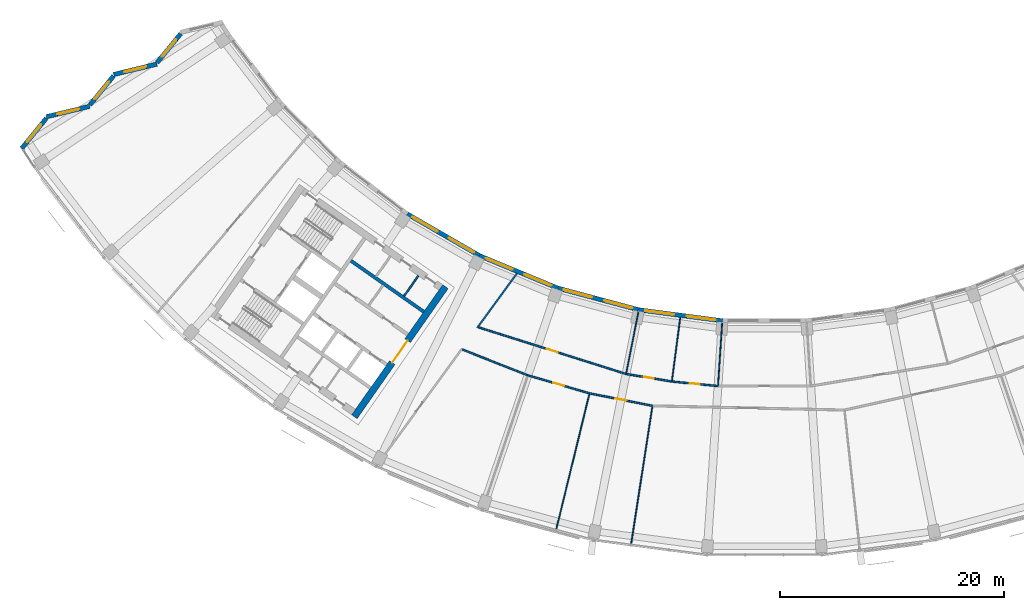
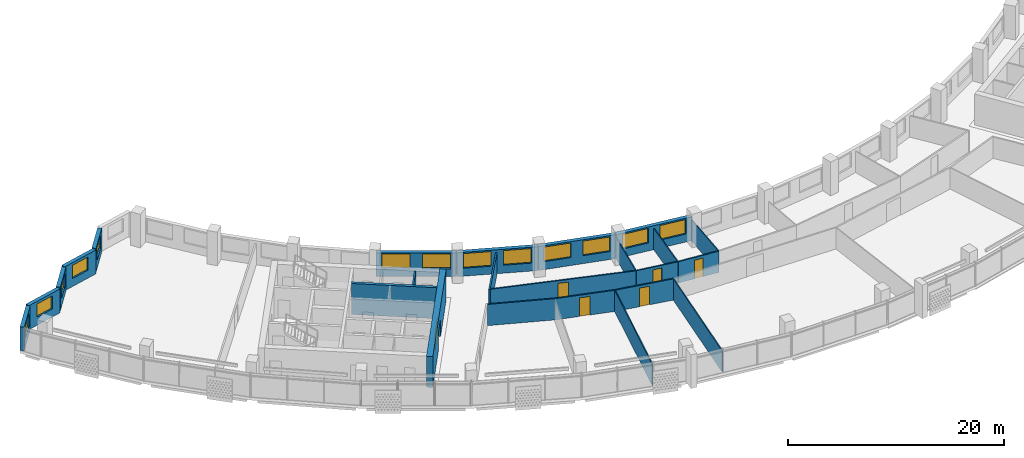
# One storey, part 4 of 28: 24 walls, 13 windows, 6 doors, 19 openings.
"""IFC4 building model written with IfcOpenShell, lengths in metres."""

from ifc_helpers import new_model, si_unit, direction, frame, frame_2d, origin, place, context, subcontext, project, spatial, rectangle, extrude, material, layer, layer_set, type_object, element, fill, save


model = new_model("IFC4")

# Units and contexts
model_context = context("Model", 3, precision=1e-05, world=origin(), true_north=direction((0.0, 1.0)))
body_context = subcontext(model_context, "Body", "Model", "MODEL_VIEW")
ifc_project = project(units=[si_unit("LENGTHUNIT", "METRE"), si_unit("AREAUNIT", "SQUARE_METRE"), si_unit("VOLUMEUNIT", "CUBIC_METRE"), si_unit("PLANEANGLEUNIT", "RADIAN"), si_unit("MASSUNIT", "GRAM", prefix="KILO")], contexts=[model_context])

# Site, building, storey
site_placement = place(None, origin())
site = spatial("IfcSite", under=ifc_project, at=site_placement, CompositionType="ELEMENT")
building_placement = place(site_placement, origin())
building = spatial("IfcBuilding", under=site, at=building_placement, Name="Qamariyya Broadcast Tower", CompositionType="ELEMENT")
storey_placement = place(building_placement, frame((0.0, 0.0, 215.10009765625)))
storey = spatial("IfcBuildingStorey", under=building, at=storey_placement, Name="L51", CompositionType="ELEMENT", Elevation=215.10009765625)

# Wall, opening, door
ifc_material_1 = material(Name="Concrete C60/75", Category="concrete")
ifc_layer_1 = layer(ifc_material_1, 0.60009765625)
ifc_layer_set_1 = layer_set([ifc_layer_1], Name="Core wall 600 mm Concrete C60/75")
wall_type_1 = type_object("IfcWallType", Name="Core wall 600 mm Concrete C60/75", PredefinedType="SHEAR", material=ifc_layer_set_1)
wall_1_placement = place(storey_placement, frame((-36.66748046875, -66.005126953125, 0.0), z_axis=(0.0, 0.0, 1.0), x_axis=(0.573568499524, 0.819157601658, 0.0)))
wall_1 = element("IfcWall", 1, at=wall_1_placement, inside=storey, type_object=wall_type_1, Name="k-W-L51-WA", PredefinedType="SHEAR", context=body_context, shape_type="SweptSolid", body=[
    extrude(rectangle(XDim=14.19970703125, YDim=0.60009765625, at=frame_2d((7.099853515625, 0.0))), origin(), (0.0, 0.0, 1.0), 3.5),
])
opening_1_placement = place(wall_1_placement, frame((5.89990234375, 0.0, 0.0)))
opening_1 = element("IfcOpeningElement", 2, at=opening_1_placement, cuts=wall_1, Name="Opening KD3-W1", PredefinedType="OPENING", context=body_context, shape_type="SweptSolid", body=[
    extrude(rectangle(XDim=2.39990234375, YDim=2.10009765625, at=frame_2d((1.199951171875, 1.050048828125))), frame((0.0, 0.31005859375, 0.0), z_axis=(0.0, -1.0, 0.0), x_axis=(1.0, 0.0, 0.0)), (0.0, 0.0, 1.0), 0.6201171875),
])
ifc_material_2 = material(Name="Steel fire-resisting door leaf", Category="steel")
door_type_1 = type_object("IfcDoorType", Name="Lift lobby door KD3", OperationType="DOUBLE_DOOR_SINGLE_SWING", PredefinedType="DOOR", material=ifc_material_2)
door_1_placement = place(opening_1_placement, origin())
door_1 = element("IfcDoor", 3, at=door_1_placement, inside=storey, type_object=door_type_1, Name="k-W-L51-WA-D1", OperationType="DOUBLE_DOOR_SINGLE_SWING", OverallHeight=2.10009765625, OverallWidth=2.39990234375, PredefinedType="DOOR", context=body_context, shape_type="SweptSolid", body=[
    extrude(rectangle(XDim=2.39990234375, YDim=2.10009765625, at=frame_2d((1.199951171875, 1.050048828125))), frame((0.0, 0.02490234375, 0.0), z_axis=(0.0, -1.0, 0.0), x_axis=(1.0, 0.0, 0.0)), (0.0, 0.0, 1.0), 0.050048828125),
])
fill(opening_1, door_1)

# Wall
ifc_material_3 = material(Name="Gypsum board partition")
ifc_layer_2 = layer(ifc_material_3, 0.14990234375)
ifc_layer_set_2 = layer_set([ifc_layer_2], Name="Corridor partition 150 EI 60")
wall_type_2 = type_object("IfcWallType", Name="Corridor partition 150 EI 60", PredefinedType="PARTITIONING", material=ifc_layer_set_2)
wall_2_placement = place(storey_placement, frame((-27.008056640625, -59.997802734375, 0.0), z_axis=(0.0, 0.0, 1.0), x_axis=(0.930254850636, -0.366914040162, 0.0)))
element("IfcWall", 4, at=wall_2_placement, inside=storey, type_object=wall_type_2, Name="Partition L51-003", PredefinedType="PARTITIONING", context=body_context, shape_type="SweptSolid", body=[
    extrude(rectangle(XDim=6.296630859375, YDim=0.14990234375, at=frame_2d((3.1484375, 0.0))), origin(), (0.0, 0.0, 1.0), 2.39990234375),
])

# Wall, opening, door
wall_3_placement = place(storey_placement, frame((-25.560302734375, -58.01025390625, 0.0), z_axis=(0.0, 0.0, 1.0), x_axis=(0.95346124433, -0.30151559754, 0.0)))
wall_3 = element("IfcWall", 5, at=wall_3_placement, inside=storey, type_object=wall_type_2, Name="Partition L51-004", PredefinedType="PARTITIONING", context=body_context, shape_type="SweptSolid", body=[
    extrude(rectangle(XDim=13.83544921875, YDim=0.14990234375, at=frame_2d((6.917724609375, 0.0))), origin(), (0.0, 0.0, 1.0), 2.39990234375),
])
opening_2_placement = place(wall_3_placement, frame((6.417724609375, 0.0, 0.0)))
opening_2 = element("IfcOpeningElement", 6, at=opening_2_placement, cuts=wall_3, Name="Opening L51-D07", PredefinedType="OPENING", context=body_context, shape_type="SweptSolid", body=[
    extrude(rectangle(XDim=1.0, YDim=2.10009765625, at=frame_2d((0.5, 1.050048828125))), frame((0.0, 0.0849609375, 0.0), z_axis=(0.0, -1.0, 0.0), x_axis=(1.0, 0.0, 0.0)), (0.0, 0.0, 1.0), 0.169921875),
])
ifc_material_4 = material(Name="Timber fire door leaf", Category="wood")
door_type_2 = type_object("IfcDoorType", Name="Fire door 1000 x 2100 FD60", OperationType="NOTDEFINED", PredefinedType="DOOR", material=ifc_material_4)
door_2_placement = place(opening_2_placement, origin())
door_2 = element("IfcDoor", 7, at=door_2_placement, inside=storey, type_object=door_type_2, Name="Door L51-D07", OperationType="SINGLE_SWING_RIGHT", OverallHeight=2.10009765625, OverallWidth=1.0, PredefinedType="DOOR", context=body_context, shape_type="SweptSolid", body=[
    extrude(rectangle(XDim=1.0, YDim=2.10009765625, at=frame_2d((0.5, 1.050048828125))), frame((0.0, 0.02490234375, 0.0), z_axis=(0.0, -1.0, 0.0), x_axis=(1.0, 0.0, 0.0)), (0.0, 0.0, 1.0), 0.050048828125),
])
fill(opening_2, door_2)

# Wall
wall_4_placement = place(storey_placement, frame((-22.135498046875, -53.1943359375, 0.0), z_axis=(0.0, 0.0, 1.0), x_axis=(-0.589297062476, -0.807916438846, 0.0)))
element("IfcWall", 8, at=wall_4_placement, inside=storey, type_object=wall_type_2, Name="Partition L51-006", PredefinedType="PARTITIONING", context=body_context, shape_type="SweptSolid", body=[
    extrude(rectangle(XDim=6.008056640625, YDim=0.14990234375, at=frame_2d((3.00390625, 0.0))), origin(), (0.0, 0.0, 1.0), 2.39990234375),
])

# Wall, opening, door
wall_5_placement = place(storey_placement, frame((-15.637939453125, -63.914794921875, 0.0), z_axis=(0.0, 0.0, 1.0), x_axis=(-0.960055220634, 0.279810602612, 0.0)))
wall_5 = element("IfcWall", 9, at=wall_5_placement, inside=storey, type_object=wall_type_2, Name="Partition L51-007", PredefinedType="PARTITIONING", context=body_context, shape_type="SweptSolid", body=[
    extrude(rectangle(XDim=5.741943359375, YDim=0.14990234375, at=frame_2d((2.87109375, 0.0))), origin(), (0.0, 0.0, 1.0), 2.39990234375),
])
opening_3_placement = place(wall_5_placement, frame((2.37109375, 0.0, 0.0)))
opening_3 = element("IfcOpeningElement", 10, at=opening_3_placement, cuts=wall_5, Name="Opening L51-D02", PredefinedType="OPENING", context=body_context, shape_type="SweptSolid", body=[
    extrude(rectangle(XDim=1.0, YDim=2.10009765625, at=frame_2d((0.5, 1.050048828125))), frame((0.0, 0.0849609375, 0.0), z_axis=(0.0, -1.0, 0.0), x_axis=(1.0, 0.0, 0.0)), (0.0, 0.0, 1.0), 0.169921875),
])
door_3_placement = place(opening_3_placement, origin())
door_3 = element("IfcDoor", 11, at=door_3_placement, inside=storey, type_object=door_type_2, Name="Door L51-D02", OperationType="SINGLE_SWING_RIGHT", OverallHeight=2.10009765625, OverallWidth=1.0, PredefinedType="DOOR", context=body_context, shape_type="SweptSolid", body=[
    extrude(rectangle(XDim=1.0, YDim=2.10009765625, at=frame_2d((0.5, 1.050048828125))), frame((0.0, 0.02490234375, 0.0), z_axis=(0.0, -1.0, 0.0), x_axis=(1.0, 0.0, 0.0)), (0.0, 0.0, 1.0), 0.050048828125),
])
fill(opening_3, door_3)

wall_6_placement = place(storey_placement, frame((-10.011474609375, -65.033935546875, 0.0), z_axis=(0.0, 0.0, 1.0), x_axis=(-0.980786374969, 0.195084819182, 0.0)))
wall_6 = element("IfcWall", 12, at=wall_6_placement, inside=storey, type_object=wall_type_2, Name="Partition L51-009", PredefinedType="PARTITIONING", context=body_context, shape_type="SweptSolid", body=[
    extrude(rectangle(XDim=5.736572265625, YDim=0.14990234375, at=frame_2d((2.8681640625, 0.0))), origin(), (0.0, 0.0, 1.0), 2.39990234375),
])
opening_4_placement = place(wall_6_placement, frame((2.368408203125, 0.0, 0.0)))
opening_4 = element("IfcOpeningElement", 13, at=opening_4_placement, cuts=wall_6, Name="Opening L51-D03", PredefinedType="OPENING", context=body_context, shape_type="SweptSolid", body=[
    extrude(rectangle(XDim=1.0, YDim=2.10009765625, at=frame_2d((0.5, 1.050048828125))), frame((0.0, 0.0849609375, 0.0), z_axis=(0.0, -1.0, 0.0), x_axis=(1.0, 0.0, 0.0)), (0.0, 0.0, 1.0), 0.169921875),
])
door_4_placement = place(opening_4_placement, origin())
door_4 = element("IfcDoor", 14, at=door_4_placement, inside=storey, type_object=door_type_2, Name="Door L51-D03", OperationType="SINGLE_SWING_RIGHT", OverallHeight=2.10009765625, OverallWidth=1.0, PredefinedType="DOOR", context=body_context, shape_type="SweptSolid", body=[
    extrude(rectangle(XDim=1.0, YDim=2.10009765625, at=frame_2d((0.5, 1.050048828125))), frame((0.0, 0.02490234375, 0.0), z_axis=(0.0, -1.0, 0.0), x_axis=(1.0, 0.0, 0.0)), (0.0, 0.0, 1.0), 0.050048828125),
])
fill(opening_4, door_4)

wall_7_placement = place(storey_placement, frame((-12.36865234375, -62.181884765625, 0.0), z_axis=(0.0, 0.0, 1.0), x_axis=(0.986644067936, -0.162891016345, 0.0)))
wall_7 = element("IfcWall", 15, at=wall_7_placement, inside=storey, type_object=wall_type_2, Name="Partition L51-010", PredefinedType="PARTITIONING", context=body_context, shape_type="SweptSolid", body=[
    extrude(rectangle(XDim=4.148681640625, YDim=0.14990234375, at=frame_2d((2.07421875, 0.0))), origin(), (0.0, 0.0, 1.0), 2.39990234375),
])
opening_5_placement = place(wall_7_placement, frame((1.62451171875, 0.0, 0.0)))
opening_5 = element("IfcOpeningElement", 16, at=opening_5_placement, cuts=wall_7, Name="Opening L51-D08", PredefinedType="OPENING", context=body_context, shape_type="SweptSolid", body=[
    extrude(rectangle(XDim=0.89990234375, YDim=2.10009765625, at=frame_2d((0.449951171875, 1.050048828125))), frame((0.0, 0.0849609375, 0.0), z_axis=(0.0, -1.0, 0.0), x_axis=(1.0, 0.0, 0.0)), (0.0, 0.0, 1.0), 0.169921875),
])
door_type_3 = type_object("IfcDoorType", Name="Fire door 900 x 2100 FD60", OperationType="NOTDEFINED", PredefinedType="DOOR", material=ifc_material_4)
door_5_placement = place(opening_5_placement, origin())
door_5 = element("IfcDoor", 17, at=door_5_placement, inside=storey, type_object=door_type_3, Name="Door L51-D08", OperationType="SINGLE_SWING_RIGHT", OverallHeight=2.10009765625, OverallWidth=0.89990234375, PredefinedType="DOOR", context=body_context, shape_type="SweptSolid", body=[
    extrude(rectangle(XDim=0.89990234375, YDim=2.10009765625, at=frame_2d((0.449951171875, 1.050048828125))), frame((0.0, 0.02490234375, 0.0), z_axis=(0.0, -1.0, 0.0), x_axis=(1.0, 0.0, 0.0)), (0.0, 0.0, 1.0), 0.050048828125),
])
fill(opening_5, door_5)

wall_8_placement = place(storey_placement, frame((-8.275390625, -62.857666015625, 0.0), z_axis=(0.0, 0.0, 1.0), x_axis=(0.995188667069, -0.097977124567, 0.0)))
wall_8 = element("IfcWall", 18, at=wall_8_placement, inside=storey, type_object=wall_type_2, Name="Partition L51-014", PredefinedType="PARTITIONING", context=body_context, shape_type="SweptSolid", body=[
    extrude(rectangle(XDim=4.14892578125, YDim=0.14990234375, at=frame_2d((2.074462890625, 0.0))), origin(), (0.0, 0.0, 1.0), 2.39990234375),
])
opening_6_placement = place(wall_8_placement, frame((1.62451171875, 0.0, 0.0)))
opening_6 = element("IfcOpeningElement", 19, at=opening_6_placement, cuts=wall_8, Name="Opening L51-D09", PredefinedType="OPENING", context=body_context, shape_type="SweptSolid", body=[
    extrude(rectangle(XDim=0.89990234375, YDim=2.10009765625, at=frame_2d((0.449951171875, 1.050048828125))), frame((0.0, 0.0849609375, 0.0), z_axis=(0.0, -1.0, 0.0), x_axis=(1.0, 0.0, 0.0)), (0.0, 0.0, 1.0), 0.169921875),
])
door_6_placement = place(opening_6_placement, origin())
door_6 = element("IfcDoor", 20, at=door_6_placement, inside=storey, type_object=door_type_3, Name="Door L51-D09", OperationType="SINGLE_SWING_RIGHT", OverallHeight=2.10009765625, OverallWidth=0.89990234375, PredefinedType="DOOR", context=body_context, shape_type="SweptSolid", body=[
    extrude(rectangle(XDim=0.89990234375, YDim=2.10009765625, at=frame_2d((0.449951171875, 1.050048828125))), frame((0.0, 0.02490234375, 0.0), z_axis=(0.0, -1.0, 0.0), x_axis=(1.0, 0.0, 0.0)), (0.0, 0.0, 1.0), 0.050048828125),
])
fill(opening_6, door_6)

# Walls
ifc_material_5 = material(Name="Gypsum board partition on steel studs", Category="steel")
ifc_layer_3 = layer(ifc_material_5, 0.14990234375)
ifc_layer_set_3 = layer_set([ifc_layer_3], Name="Gypsum board partition 150 mm")
wall_type_3 = type_object("IfcWallType", Name="Gypsum board partition 150 mm", PredefinedType="PARTITIONING", material=ifc_layer_set_3)
wall_9_placement = place(storey_placement, frame((-32.2177734375, -55.204345703125, 0.0), z_axis=(0.0, 0.0, 1.0), x_axis=(0.573581496053, 0.819148501424, 0.0)))
element("IfcWall", 21, at=wall_9_placement, inside=storey, type_object=wall_type_3, Name="k-W-L51-NP225", PredefinedType="PARTITIONING", context=body_context, shape_type="SweptSolid", body=[
    extrude(rectangle(XDim=2.2001953125, YDim=0.14990234375, at=frame_2d((1.10009765625, 0.0))), origin(), (0.0, 0.0, 1.0), 3.5),
])
ifc_layer_4 = layer(ifc_material_1, 0.300048828125)
ifc_layer_set_4 = layer_set([ifc_layer_4], Name="Lift shaft wall 300 mm Concrete C60/75")
wall_type_4 = type_object("IfcWallType", Name="Lift shaft wall 300 mm Concrete C60/75", PredefinedType="SOLIDWALL", material=ifc_layer_set_4)
wall_10_placement = place(storey_placement, frame((-30.460693359375, -56.61767578125, 0.0), z_axis=(0.0, 0.0, 1.0), x_axis=(-0.819142461705, 0.573590121456, 0.0)))
element("IfcWall", 22, at=wall_10_placement, inside=storey, type_object=wall_type_4, Name="k-W-L51-NB0", PredefinedType="SOLIDWALL", context=body_context, shape_type="SweptSolid", body=[
    extrude(rectangle(XDim=7.949951171875, YDim=0.300048828125, at=frame_2d((3.97509765625, 0.0))), origin(), (0.0, 0.0, 1.0), 3.5),
])
ifc_layer_5 = layer(ifc_material_3, 0.10009765625)
ifc_layer_set_5 = layer_set([ifc_layer_5], Name="Partition 100")
wall_type_5 = type_object("IfcWallType", Name="Partition 100", PredefinedType="PARTITIONING", material=ifc_layer_set_5)
for number, where, z_axis, x_axis, name in (
    (23, (-18.60888671875, -76.056884765625, 0.0), (0.0, 0.0, 1.0), (0.237668980718, 0.971346207901, 0.0), "Partition L51-008"),
    (24, (-11.91357421875, -77.388671875, 0.0), (0.0, 0.0, 1.0), (0.152160538539, 0.988355791459, 0.0), "Partition L51-011"),
):
    element("IfcWall", number, at=place(storey_placement, frame(where, z_axis=z_axis, x_axis=x_axis)), inside=storey, type_object=wall_type_5, Name=name, PredefinedType="PARTITIONING", context=body_context, shape_type="SweptSolid", body=[
        extrude(rectangle(XDim=12.42529296875, YDim=0.10009765625, at=frame_2d((6.212646484375, 0.0))), origin(), (0.0, 0.0, 1.0), 2.39990234375),
    ])
wall_11_placement = place(storey_placement, frame((-11.266357421875, -56.640380859375, 0.0), z_axis=(0.0, 0.0, 1.0), x_axis=(-0.195097004053, -0.98078395124, 0.0)))
element("IfcWall", 25, at=wall_11_placement, inside=storey, type_object=wall_type_5, Name="Partition L51-012", PredefinedType="PARTITIONING", context=body_context, shape_type="SweptSolid", body=[
    extrude(rectangle(XDim=5.574951171875, YDim=0.10009765625, at=frame_2d((2.78759765625, 0.0))), origin(), (0.0, 0.0, 1.0), 2.39990234375),
])
wall_12_placement = place(storey_placement, frame((-7.52197265625, -57.13427734375, 0.0), z_axis=(0.0, 0.0, 1.0), x_axis=(-0.130518800749, -0.991445834451, 0.0)))
element("IfcWall", 26, at=wall_12_placement, inside=storey, type_object=wall_type_5, Name="Partition L51-015", PredefinedType="PARTITIONING", context=body_context, shape_type="SweptSolid", body=[
    extrude(rectangle(XDim=5.69775390625, YDim=0.10009765625, at=frame_2d((2.848876953125, 0.0))), origin(), (0.0, 0.0, 1.0), 2.39990234375),
])
wall_13_placement = place(storey_placement, frame((-3.777099609375, -57.62646484375, 0.0), z_axis=(0.0, 0.0, 1.0), x_axis=(-0.065382488891, -0.997860275864, 0.0)))
element("IfcWall", 27, at=wall_13_placement, inside=storey, type_object=wall_type_5, Name="Partition L51-017", PredefinedType="PARTITIONING", context=body_context, shape_type="SweptSolid", body=[
    extrude(rectangle(XDim=5.574951171875, YDim=0.10009765625, at=frame_2d((2.78759765625, 0.0))), origin(), (0.0, 0.0, 1.0), 2.39990234375),
])

# Wall, opening, window
ifc_material_6 = material(Name="Terracotta", Category="masonry")
ifc_layer_6 = layer(ifc_material_6, 0.39990234375)
ifc_layer_set_6 = layer_set([ifc_layer_6], Name="Terracotta clad wall 400")
wall_type_6 = type_object("IfcWallType", Name="Terracotta clad wall 400", PredefinedType="SOLIDWALL", material=ifc_layer_set_6)
wall_14_placement = place(storey_placement, frame((-52.203125, -31.75048828125, 0.0), z_axis=(0.0, 0.0, 1.0), x_axis=(-0.632221837453, -0.774787421328, 0.0)))
wall_14 = element("IfcWall", 28, at=wall_14_placement, inside=storey, type_object=wall_type_6, Name="e-wl-L51-capW1", PredefinedType="SOLIDWALL", context=body_context, shape_type="SweptSolid", body=[
    extrude(rectangle(XDim=3.32568359375, YDim=0.39990234375, at=frame_2d((1.662841796875, 0.0))), origin(), (0.0, 0.0, 1.0), 2.699951171875),
])
opening_7_placement = place(wall_14_placement, frame((0.662841796875, 0.0, 0.89990234375)))
opening_7 = element("IfcOpeningElement", 29, at=opening_7_placement, cuts=wall_14, Name="Opening W4", PredefinedType="OPENING", context=body_context, shape_type="SweptSolid", body=[
    extrude(rectangle(XDim=2.0, YDim=1.5, at=frame_2d((1.0, 0.75))), frame((0.0, 0.2099609375, 0.0), z_axis=(0.0, -1.0, 0.0), x_axis=(1.0, 0.0, 0.0)), (0.0, 0.0, 1.0), 0.419921875),
])
ifc_material_7 = material(Name="Clear low-e double glazed unit in aluminium frame", Category="aluminium")
window_type_1 = type_object("IfcWindowType", Name="Horn bay window 2000 x 1500", PartitioningType="SINGLE_PANEL", PredefinedType="WINDOW", material=ifc_material_7)
window_1_placement = place(opening_7_placement, origin())
window_1 = element("IfcWindow", 30, at=window_1_placement, inside=storey, type_object=window_type_1, Name="e-w-L51-capW1", OverallHeight=1.5, OverallWidth=2.0, PartitioningType="SINGLE_PANEL", PredefinedType="WINDOW", context=body_context, shape_type="SweptSolid", body=[
    extrude(rectangle(XDim=2.0, YDim=1.5, at=frame_2d((1.0, 0.75))), frame((0.0, 0.030029296875, 0.0), z_axis=(0.0, -1.0, 0.0), x_axis=(1.0, 0.0, 0.0)), (0.0, 0.0, 1.0), 0.06005859375),
])
fill(opening_7, window_1)

wall_15_placement = place(storey_placement, frame((-54.32568359375, -34.467041015625, 0.0), z_axis=(0.0, 0.0, 1.0), x_axis=(-0.972606955369, -0.232455824549, 0.0)))
wall_15 = element("IfcWall", 31, at=wall_15_placement, inside=storey, type_object=wall_type_6, Name="e-wl-L51-capW2", PredefinedType="SOLIDWALL", context=body_context, shape_type="SweptSolid", body=[
    extrude(rectangle(XDim=3.977294921875, YDim=0.39990234375, at=frame_2d((1.98876953125, 0.0))), origin(), (0.0, 0.0, 1.0), 2.699951171875),
])
opening_8_placement = place(wall_15_placement, frame((0.988525390625, 0.0, 0.89990234375)))
opening_8 = element("IfcOpeningElement", 32, at=opening_8_placement, cuts=wall_15, Name="Opening W4", PredefinedType="OPENING", context=body_context, shape_type="SweptSolid", body=[
    extrude(rectangle(XDim=2.0, YDim=1.5, at=frame_2d((1.0, 0.75))), frame((0.0, 0.2099609375, 0.0), z_axis=(0.0, -1.0, 0.0), x_axis=(1.0, 0.0, 0.0)), (0.0, 0.0, 1.0), 0.419921875),
])
window_2_placement = place(opening_8_placement, origin())
window_2 = element("IfcWindow", 33, at=window_2_placement, inside=storey, type_object=window_type_1, Name="e-w-L51-capW2", OverallHeight=1.5, OverallWidth=2.0, PartitioningType="SINGLE_PANEL", PredefinedType="WINDOW", context=body_context, shape_type="SweptSolid", body=[
    extrude(rectangle(XDim=2.0, YDim=1.5, at=frame_2d((1.0, 0.75))), frame((0.0, 0.030029296875, 0.0), z_axis=(0.0, -1.0, 0.0), x_axis=(1.0, 0.0, 0.0)), (0.0, 0.0, 1.0), 0.06005859375),
])
fill(opening_8, window_2)

wall_16_placement = place(storey_placement, frame((-58.214111328125, -35.531494140625, 0.0), z_axis=(0.0, 0.0, 1.0), x_axis=(-0.632073350464, -0.774908562111, 0.0)))
wall_16 = element("IfcWall", 34, at=wall_16_placement, inside=storey, type_object=wall_type_6, Name="e-wl-L51-capW3", PredefinedType="SOLIDWALL", context=body_context, shape_type="SweptSolid", body=[
    extrude(rectangle(XDim=3.324462890625, YDim=0.39990234375, at=frame_2d((1.662109375, 0.0))), origin(), (0.0, 0.0, 1.0), 2.699951171875),
])
opening_9_placement = place(wall_16_placement, frame((0.662353515625, 0.0, 0.89990234375)))
opening_9 = element("IfcOpeningElement", 35, at=opening_9_placement, cuts=wall_16, Name="Opening W4", PredefinedType="OPENING", context=body_context, shape_type="SweptSolid", body=[
    extrude(rectangle(XDim=2.0, YDim=1.5, at=frame_2d((1.0, 0.75))), frame((0.0, 0.2099609375, 0.0), z_axis=(0.0, -1.0, 0.0), x_axis=(1.0, 0.0, 0.0)), (0.0, 0.0, 1.0), 0.419921875),
])
window_3_placement = place(opening_9_placement, origin())
window_3 = element("IfcWindow", 36, at=window_3_placement, inside=storey, type_object=window_type_1, Name="e-w-L51-capW3", OverallHeight=1.5, OverallWidth=2.0, PartitioningType="SINGLE_PANEL", PredefinedType="WINDOW", context=body_context, shape_type="SweptSolid", body=[
    extrude(rectangle(XDim=2.0, YDim=1.5, at=frame_2d((1.0, 0.75))), frame((0.0, 0.030029296875, 0.0), z_axis=(0.0, -1.0, 0.0), x_axis=(1.0, 0.0, 0.0)), (0.0, 0.0, 1.0), 0.06005859375),
])
fill(opening_9, window_3)

wall_17_placement = place(storey_placement, frame((-60.33544921875, -38.247314453125, 0.0), z_axis=(0.0, 0.0, 1.0), x_axis=(-0.972575270302, -0.23258835654, 0.0)))
wall_17 = element("IfcWall", 37, at=wall_17_placement, inside=storey, type_object=wall_type_6, Name="e-wl-L51-capW4", PredefinedType="SOLIDWALL", context=body_context, shape_type="SweptSolid", body=[
    extrude(rectangle(XDim=3.978271484375, YDim=0.39990234375, at=frame_2d((1.9892578125, 0.0))), origin(), (0.0, 0.0, 1.0), 2.699951171875),
])
opening_10_placement = place(wall_17_placement, frame((0.989013671875, 0.0, 0.89990234375)))
opening_10 = element("IfcOpeningElement", 38, at=opening_10_placement, cuts=wall_17, Name="Opening W4", PredefinedType="OPENING", context=body_context, shape_type="SweptSolid", body=[
    extrude(rectangle(XDim=2.0, YDim=1.5, at=frame_2d((1.0, 0.75))), frame((0.0, 0.2099609375, 0.0), z_axis=(0.0, -1.0, 0.0), x_axis=(1.0, 0.0, 0.0)), (0.0, 0.0, 1.0), 0.419921875),
])
window_4_placement = place(opening_10_placement, origin())
window_4 = element("IfcWindow", 39, at=window_4_placement, inside=storey, type_object=window_type_1, Name="e-w-L51-capW4", OverallHeight=1.5, OverallWidth=2.0, PartitioningType="SINGLE_PANEL", PredefinedType="WINDOW", context=body_context, shape_type="SweptSolid", body=[
    extrude(rectangle(XDim=2.0, YDim=1.5, at=frame_2d((1.0, 0.75))), frame((0.0, 0.030029296875, 0.0), z_axis=(0.0, -1.0, 0.0), x_axis=(1.0, 0.0, 0.0)), (0.0, 0.0, 1.0), 0.06005859375),
])
fill(opening_10, window_4)

wall_18_placement = place(storey_placement, frame((-64.224853515625, -39.312255859375, 0.0), z_axis=(0.0, 0.0, 1.0), x_axis=(-0.632015628421, -0.774955640945, 0.0)))
wall_18 = element("IfcWall", 40, at=wall_18_placement, inside=storey, type_object=wall_type_6, Name="e-wl-L51-capW5", PredefinedType="SOLIDWALL", context=body_context, shape_type="SweptSolid", body=[
    extrude(rectangle(XDim=3.472412109375, YDim=0.39990234375, at=frame_2d((1.736328125, 0.0))), origin(), (0.0, 0.0, 1.0), 2.699951171875),
])
opening_11_placement = place(wall_18_placement, frame((0.736083984375, 0.0, 0.89990234375)))
opening_11 = element("IfcOpeningElement", 41, at=opening_11_placement, cuts=wall_18, Name="Opening W4", PredefinedType="OPENING", context=body_context, shape_type="SweptSolid", body=[
    extrude(rectangle(XDim=2.0, YDim=1.5, at=frame_2d((1.0, 0.75))), frame((0.0, 0.2099609375, 0.0), z_axis=(0.0, -1.0, 0.0), x_axis=(1.0, 0.0, 0.0)), (0.0, 0.0, 1.0), 0.419921875),
])
window_5_placement = place(opening_11_placement, origin())
window_5 = element("IfcWindow", 42, at=window_5_placement, inside=storey, type_object=window_type_1, Name="e-w-L51-capW5", OverallHeight=1.5, OverallWidth=2.0, PartitioningType="SINGLE_PANEL", PredefinedType="WINDOW", context=body_context, shape_type="SweptSolid", body=[
    extrude(rectangle(XDim=2.0, YDim=1.5, at=frame_2d((1.0, 0.75))), frame((0.0, 0.030029296875, 0.0), z_axis=(0.0, -1.0, 0.0), x_axis=(1.0, 0.0, 0.0)), (0.0, 0.0, 1.0), 0.06005859375),
])
fill(opening_11, window_5)

# Wall, openings, windows
wall_19_placement = place(storey_placement, frame((-25.497802734375, -51.590087890625, 0.0), z_axis=(0.0, 0.0, 1.0), x_axis=(-0.866021353871, 0.500007014591, 0.0)))
wall_19 = element("IfcWall", 43, at=wall_19_placement, inside=storey, type_object=wall_type_6, Name="e-wl-L51-in40", PredefinedType="SOLIDWALL", context=body_context, shape_type="SweptSolid", body=[
    extrude(rectangle(XDim=7.4267578125, YDim=0.39990234375, at=frame_2d((3.71337890625, 0.0))), origin(), (0.0, 0.0, 1.0), 2.699951171875),
])
opening_12_placement = place(wall_19_placement, frame((4.28857421875, 0.0, 0.89990234375)))
opening_12 = element("IfcOpeningElement", 44, at=opening_12_placement, cuts=wall_19, Name="Opening W1", PredefinedType="OPENING", context=body_context, shape_type="SweptSolid", body=[
    extrude(rectangle(XDim=2.60009765625, YDim=1.64990234375, at=frame_2d((1.300048828125, 0.824951171875))), frame((0.0, 0.2099609375, 0.0), z_axis=(0.0, -1.0, 0.0), x_axis=(1.0, 0.0, 0.0)), (0.0, 0.0, 1.0), 0.419921875),
])
opening_13_placement = place(wall_19_placement, frame((0.537841796875, 0.0, 0.89990234375)))
opening_13 = element("IfcOpeningElement", 45, at=opening_13_placement, cuts=wall_19, Name="Opening W1", PredefinedType="OPENING", context=body_context, shape_type="SweptSolid", body=[
    extrude(rectangle(XDim=2.60009765625, YDim=1.64990234375, at=frame_2d((1.300048828125, 0.824951171875))), frame((0.0, 0.2099609375, 0.0), z_axis=(0.0, -1.0, 0.0), x_axis=(1.0, 0.0, 0.0)), (0.0, 0.0, 1.0), 0.419921875),
])
window_type_2 = type_object("IfcWindowType", Name="Ribbon window 2600 x 1650", PartitioningType="SINGLE_PANEL", PredefinedType="WINDOW", material=ifc_material_7)
window_6_placement = place(opening_12_placement, origin())
window_6 = element("IfcWindow", 46, at=window_6_placement, inside=storey, type_object=window_type_2, Name="e-w-L51-in04-0", OverallHeight=1.64990234375, OverallWidth=2.60009765625, PartitioningType="SINGLE_PANEL", PredefinedType="WINDOW", context=body_context, shape_type="SweptSolid", body=[
    extrude(rectangle(XDim=2.60009765625, YDim=1.64990234375, at=frame_2d((1.300048828125, 0.824951171875))), frame((0.0, 0.030029296875, 0.0), z_axis=(0.0, -1.0, 0.0), x_axis=(1.0, 0.0, 0.0)), (0.0, 0.0, 1.0), 0.06005859375),
])
fill(opening_12, window_6)
window_7_placement = place(opening_13_placement, origin())
window_7 = element("IfcWindow", 47, at=window_7_placement, inside=storey, type_object=window_type_2, Name="e-w-L51-in04-1", OverallHeight=1.64990234375, OverallWidth=2.60009765625, PartitioningType="SINGLE_PANEL", PredefinedType="WINDOW", context=body_context, shape_type="SweptSolid", body=[
    extrude(rectangle(XDim=2.60009765625, YDim=1.64990234375, at=frame_2d((1.300048828125, 0.824951171875))), frame((0.0, 0.030029296875, 0.0), z_axis=(0.0, -1.0, 0.0), x_axis=(1.0, 0.0, 0.0)), (0.0, 0.0, 1.0), 0.06005859375),
])
fill(opening_13, window_7)

wall_20_placement = place(storey_placement, frame((-18.475830078125, -54.505859375, 0.0), z_axis=(0.0, 0.0, 1.0), x_axis=(-0.923884115122, 0.382672368777, 0.0)))
wall_20 = element("IfcWall", 48, at=wall_20_placement, inside=storey, type_object=wall_type_6, Name="e-wl-L51-in50", PredefinedType="SOLIDWALL", context=body_context, shape_type="SweptSolid", body=[
    extrude(rectangle(XDim=7.578125, YDim=0.39990234375, at=frame_2d((3.7890625, 0.0))), origin(), (0.0, 0.0, 1.0), 2.699951171875),
])
opening_14_placement = place(wall_20_placement, frame((4.364501953125, 0.0, 0.89990234375)))
opening_14 = element("IfcOpeningElement", 49, at=opening_14_placement, cuts=wall_20, Name="Opening W1", PredefinedType="OPENING", context=body_context, shape_type="SweptSolid", body=[
    extrude(rectangle(XDim=2.60009765625, YDim=1.64990234375, at=frame_2d((1.300048828125, 0.824951171875))), frame((0.0, 0.2099609375, 0.0), z_axis=(0.0, -1.0, 0.0), x_axis=(1.0, 0.0, 0.0)), (0.0, 0.0, 1.0), 0.419921875),
])
opening_15_placement = place(wall_20_placement, frame((0.613525390625, 0.0, 0.89990234375)))
opening_15 = element("IfcOpeningElement", 50, at=opening_15_placement, cuts=wall_20, Name="Opening W1", PredefinedType="OPENING", context=body_context, shape_type="SweptSolid", body=[
    extrude(rectangle(XDim=2.60009765625, YDim=1.64990234375, at=frame_2d((1.300048828125, 0.824951171875))), frame((0.0, 0.2099609375, 0.0), z_axis=(0.0, -1.0, 0.0), x_axis=(1.0, 0.0, 0.0)), (0.0, 0.0, 1.0), 0.419921875),
])
window_8_placement = place(opening_14_placement, origin())
window_8 = element("IfcWindow", 51, at=window_8_placement, inside=storey, type_object=window_type_2, Name="e-w-L51-in05-0", OverallHeight=1.64990234375, OverallWidth=2.60009765625, PartitioningType="SINGLE_PANEL", PredefinedType="WINDOW", context=body_context, shape_type="SweptSolid", body=[
    extrude(rectangle(XDim=2.60009765625, YDim=1.64990234375, at=frame_2d((1.300048828125, 0.824951171875))), frame((0.0, 0.030029296875, 0.0), z_axis=(0.0, -1.0, 0.0), x_axis=(1.0, 0.0, 0.0)), (0.0, 0.0, 1.0), 0.06005859375),
])
fill(opening_14, window_8)
window_9_placement = place(opening_15_placement, origin())
window_9 = element("IfcWindow", 52, at=window_9_placement, inside=storey, type_object=window_type_2, Name="e-w-L51-in05-1", OverallHeight=1.64990234375, OverallWidth=2.60009765625, PartitioningType="SINGLE_PANEL", PredefinedType="WINDOW", context=body_context, shape_type="SweptSolid", body=[
    extrude(rectangle(XDim=2.60009765625, YDim=1.64990234375, at=frame_2d((1.300048828125, 0.824951171875))), frame((0.0, 0.030029296875, 0.0), z_axis=(0.0, -1.0, 0.0), x_axis=(1.0, 0.0, 0.0)), (0.0, 0.0, 1.0), 0.06005859375),
])
fill(opening_15, window_9)

wall_21_placement = place(storey_placement, frame((-11.276611328125, -56.431396484375, 0.0), z_axis=(0.0, 0.0, 1.0), x_axis=(-0.965924866111, 0.25882262851, 0.0)))
wall_21 = element("IfcWall", 53, at=wall_21_placement, inside=storey, type_object=wall_type_6, Name="e-wl-L51-in60", PredefinedType="SOLIDWALL", context=body_context, shape_type="SweptSolid", body=[
    extrude(rectangle(XDim=7.426513671875, YDim=0.39990234375, at=frame_2d((3.71337890625, 0.0))), origin(), (0.0, 0.0, 1.0), 2.699951171875),
])
opening_16_placement = place(wall_21_placement, frame((4.28857421875, 0.0, 0.89990234375)))
opening_16 = element("IfcOpeningElement", 54, at=opening_16_placement, cuts=wall_21, Name="Opening W1", PredefinedType="OPENING", context=body_context, shape_type="SweptSolid", body=[
    extrude(rectangle(XDim=2.60009765625, YDim=1.64990234375, at=frame_2d((1.300048828125, 0.824951171875))), frame((0.0, 0.2099609375, 0.0), z_axis=(0.0, -1.0, 0.0), x_axis=(1.0, 0.0, 0.0)), (0.0, 0.0, 1.0), 0.419921875),
])
opening_17_placement = place(wall_21_placement, frame((0.537841796875, 0.0, 0.89990234375)))
opening_17 = element("IfcOpeningElement", 55, at=opening_17_placement, cuts=wall_21, Name="Opening W1", PredefinedType="OPENING", context=body_context, shape_type="SweptSolid", body=[
    extrude(rectangle(XDim=2.60009765625, YDim=1.64990234375, at=frame_2d((1.300048828125, 0.824951171875))), frame((0.0, 0.2099609375, 0.0), z_axis=(0.0, -1.0, 0.0), x_axis=(1.0, 0.0, 0.0)), (0.0, 0.0, 1.0), 0.419921875),
])
window_10_placement = place(opening_16_placement, origin())
window_10 = element("IfcWindow", 56, at=window_10_placement, inside=storey, type_object=window_type_2, Name="e-w-L51-in06-0", OverallHeight=1.64990234375, OverallWidth=2.60009765625, PartitioningType="SINGLE_PANEL", PredefinedType="WINDOW", context=body_context, shape_type="SweptSolid", body=[
    extrude(rectangle(XDim=2.60009765625, YDim=1.64990234375, at=frame_2d((1.300048828125, 0.824951171875))), frame((0.0, 0.030029296875, 0.0), z_axis=(0.0, -1.0, 0.0), x_axis=(1.0, 0.0, 0.0)), (0.0, 0.0, 1.0), 0.06005859375),
])
fill(opening_16, window_10)
window_11_placement = place(opening_17_placement, origin())
window_11 = element("IfcWindow", 57, at=window_11_placement, inside=storey, type_object=window_type_2, Name="e-w-L51-in06-1", OverallHeight=1.64990234375, OverallWidth=2.60009765625, PartitioningType="SINGLE_PANEL", PredefinedType="WINDOW", context=body_context, shape_type="SweptSolid", body=[
    extrude(rectangle(XDim=2.60009765625, YDim=1.64990234375, at=frame_2d((1.300048828125, 0.824951171875))), frame((0.0, 0.030029296875, 0.0), z_axis=(0.0, -1.0, 0.0), x_axis=(1.0, 0.0, 0.0)), (0.0, 0.0, 1.0), 0.06005859375),
])
fill(opening_17, window_11)

wall_22_placement = place(storey_placement, frame((-3.7392578125, -57.430419921875, 0.0), z_axis=(0.0, 0.0, 1.0), x_axis=(-0.991446288508, 0.130515351599, 0.0)))
wall_22 = element("IfcWall", 58, at=wall_22_placement, inside=storey, type_object=wall_type_6, Name="e-wl-L51-in70", PredefinedType="SOLIDWALL", context=body_context, shape_type="SweptSolid", body=[
    extrude(rectangle(XDim=7.57763671875, YDim=0.39990234375, at=frame_2d((3.788818359375, 0.0))), origin(), (0.0, 0.0, 1.0), 2.699951171875),
])
opening_18_placement = place(wall_22_placement, frame((4.364501953125, 0.0, 0.89990234375)))
opening_18 = element("IfcOpeningElement", 59, at=opening_18_placement, cuts=wall_22, Name="Opening W1", PredefinedType="OPENING", context=body_context, shape_type="SweptSolid", body=[
    extrude(rectangle(XDim=2.60009765625, YDim=1.64990234375, at=frame_2d((1.300048828125, 0.824951171875))), frame((0.0, 0.2099609375, 0.0), z_axis=(0.0, -1.0, 0.0), x_axis=(1.0, 0.0, 0.0)), (0.0, 0.0, 1.0), 0.419921875),
])
opening_19_placement = place(wall_22_placement, frame((0.613525390625, 0.0, 0.89990234375)))
opening_19 = element("IfcOpeningElement", 60, at=opening_19_placement, cuts=wall_22, Name="Opening W1", PredefinedType="OPENING", context=body_context, shape_type="SweptSolid", body=[
    extrude(rectangle(XDim=2.60009765625, YDim=1.64990234375, at=frame_2d((1.300048828125, 0.824951171875))), frame((0.0, 0.2099609375, 0.0), z_axis=(0.0, -1.0, 0.0), x_axis=(1.0, 0.0, 0.0)), (0.0, 0.0, 1.0), 0.419921875),
])
window_12_placement = place(opening_18_placement, origin())
window_12 = element("IfcWindow", 61, at=window_12_placement, inside=storey, type_object=window_type_2, Name="e-w-L51-in07-0", OverallHeight=1.64990234375, OverallWidth=2.60009765625, PartitioningType="SINGLE_PANEL", PredefinedType="WINDOW", context=body_context, shape_type="SweptSolid", body=[
    extrude(rectangle(XDim=2.60009765625, YDim=1.64990234375, at=frame_2d((1.300048828125, 0.824951171875))), frame((0.0, 0.030029296875, 0.0), z_axis=(0.0, -1.0, 0.0), x_axis=(1.0, 0.0, 0.0)), (0.0, 0.0, 1.0), 0.06005859375),
])
fill(opening_18, window_12)
window_13_placement = place(opening_19_placement, origin())
window_13 = element("IfcWindow", 62, at=window_13_placement, inside=storey, type_object=window_type_2, Name="e-w-L51-in07-1", OverallHeight=1.64990234375, OverallWidth=2.60009765625, PartitioningType="SINGLE_PANEL", PredefinedType="WINDOW", context=body_context, shape_type="SweptSolid", body=[
    extrude(rectangle(XDim=2.60009765625, YDim=1.64990234375, at=frame_2d((1.300048828125, 0.824951171875))), frame((0.0, 0.030029296875, 0.0), z_axis=(0.0, -1.0, 0.0), x_axis=(1.0, 0.0, 0.0)), (0.0, 0.0, 1.0), 0.06005859375),
])
fill(opening_19, window_13)

save(model, "model.ifc")
